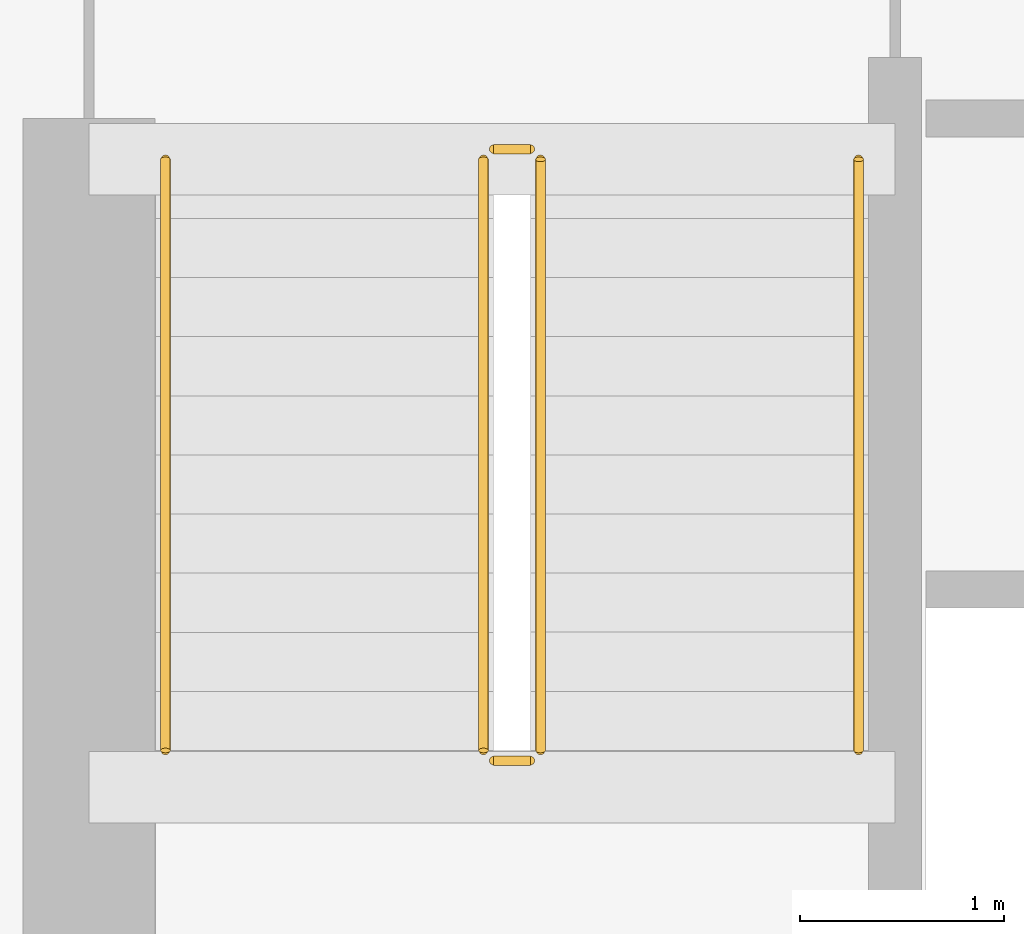
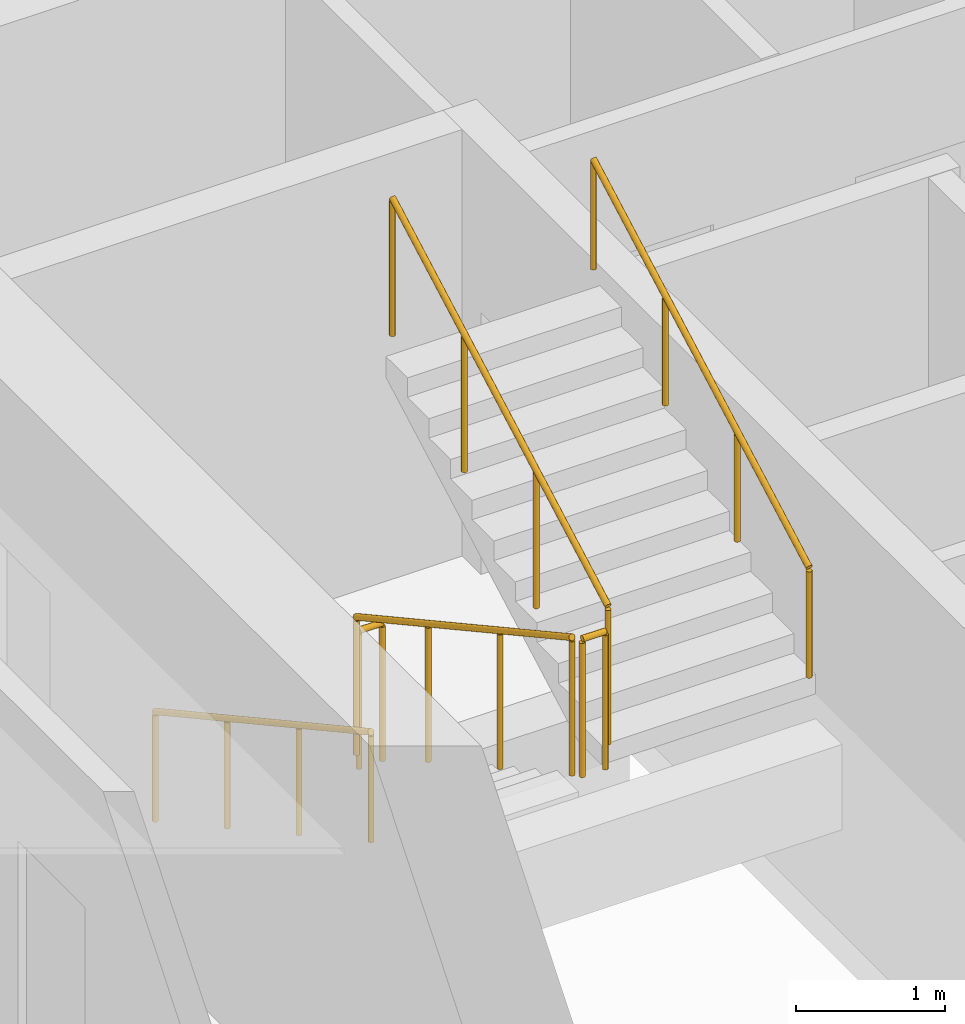
# One storey, part 8 of 10: 6 railings.
"""IFC4 building model written with IfcOpenShell, lengths in metres."""

from ifc_helpers import new_model, si_unit, direction, frame, origin, origin_2d, place, context, subcontext, project, spatial, circle, extrude, material, type_object, element, save


model = new_model("IFC4")

# Units and contexts
model_context = context("Model", 3, precision=1e-05, world=origin(), true_north=direction((0.0, 1.0)))
body_context = subcontext(model_context, "Body", "Model", "MODEL_VIEW")
ifc_project = project(units=[si_unit("LENGTHUNIT", "METRE"), si_unit("AREAUNIT", "SQUARE_METRE"), si_unit("VOLUMEUNIT", "CUBIC_METRE"), si_unit("PLANEANGLEUNIT", "RADIAN"), si_unit("MASSUNIT", "GRAM", prefix="KILO")], contexts=[model_context])

# Site, building, storey
site_placement = place(None, origin())
site = spatial("IfcSite", under=ifc_project, at=site_placement, CompositionType="ELEMENT")
building_placement = place(site_placement, origin())
building = spatial("IfcBuilding", under=site, at=building_placement, Name="Calvemar Wedge Station Tower", CompositionType="ELEMENT")
storey_placement = place(building_placement, frame((0.0, 0.0, 221.89990234375)))
storey = spatial("IfcBuildingStorey", under=building, at=storey_placement, Name="L56", CompositionType="ELEMENT", Elevation=221.89990234375)

# Railings
ifc_material_1 = material(Name="Stainless steel AISI 316L", Category="steel")
railing_type_1 = type_object("IfcRailingType", Name="RL-HANDRAIL-920", PredefinedType="HANDRAIL", material=ifc_material_1)
railing_1_placement = place(storey_placement, frame((16.64990234375, 41.14990234375, 0.1591796875)))
element("IfcRailing", 1, at=railing_1_placement, inside=storey, type_object=railing_type_1, Name="L56 ST-C1 stair handrail 1", PredefinedType="HANDRAIL", context=body_context, shape_type="SweptSolid", body=[
    extrude(circle(Radius=0.02392578125, at=origin_2d()), frame((0.0, 0.0, 0.89599609375), z_axis=(0.0, -0.876742130028, 0.480960744171), x_axis=(1.0, 0.0, 0.0)), (0.0, 0.0, 1.0), 3.3076171875),
    extrude(circle(Radius=0.02099609375, at=origin_2d()), origin(), (0.0, 0.0, 1.0), 0.871826171875),
    extrude(circle(Radius=0.02099609375, at=origin_2d()), frame((0.0, -0.966552734375, 0.5302734375)), (0.0, 0.0, 1.0), 0.871826171875),
    extrude(circle(Radius=0.02099609375, at=origin_2d()), frame((0.0, -1.933349609375, 1.060546875)), (0.0, 0.0, 1.0), 0.871826171875),
    extrude(circle(Radius=0.02099609375, at=origin_2d()), frame((0.0, -2.89990234375, 1.5908203125)), (0.0, 0.0, 1.0), 0.871826171875),
])
railing_2_placement = place(storey_placement, frame((20.050048828125, 38.25, 1.9091796875)))
element("IfcRailing", 2, at=railing_2_placement, inside=storey, type_object=railing_type_1, Name="L56 ST-C1 stair handrail 2", PredefinedType="HANDRAIL", context=body_context, shape_type="SweptSolid", body=[
    extrude(circle(Radius=0.02392578125, at=origin_2d()), frame((0.0, 0.0, 0.89599609375), z_axis=(0.0, 0.876742130028, 0.480960744171), x_axis=(-1.0, 0.0, 0.0)), (0.0, 0.0, 1.0), 3.3076171875),
    extrude(circle(Radius=0.02099609375, at=origin_2d()), origin(), (0.0, 0.0, 1.0), 0.871826171875),
    extrude(circle(Radius=0.02099609375, at=origin_2d()), frame((0.0, 0.966552734375, 0.5302734375)), (0.0, 0.0, 1.0), 0.871826171875),
    extrude(circle(Radius=0.02099609375, at=origin_2d()), frame((0.0, 1.933349609375, 1.060546875)), (0.0, 0.0, 1.0), 0.871826171875),
    extrude(circle(Radius=0.02099609375, at=origin_2d()), frame((0.0, 2.89990234375, 1.5908203125)), (0.0, 0.0, 1.0), 0.871826171875),
])
ifc_material_2 = material(Name="Painted steel guardrail ASTM A500 Grade C", Category="steel")
railing_type_2 = type_object("IfcRailingType", Name="RL-STAIR-GUARD-1150", PredefinedType="GUARDRAIL", material=ifc_material_2)
railing_3_placement = place(storey_placement, frame((18.2099609375, 41.14990234375, 0.1591796875)))
element("IfcRailing", 3, at=railing_3_placement, inside=storey, type_object=railing_type_2, Name="L56 ST-C1 stair guard 1", PredefinedType="GUARDRAIL", context=body_context, shape_type="SweptSolid", body=[
    extrude(circle(Radius=0.02392578125, at=origin_2d()), frame((0.0, 0.0, 1.1259765625), z_axis=(0.0, -0.876742130028, 0.480960744171), x_axis=(1.0, 0.0, 0.0)), (0.0, 0.0, 1.0), 3.3076171875),
    extrude(circle(Radius=0.02099609375, at=origin_2d()), origin(), (0.0, 0.0, 1.0), 1.101806640625),
    extrude(circle(Radius=0.02099609375, at=origin_2d()), frame((0.0, -0.966552734375, 0.5302734375)), (0.0, 0.0, 1.0), 1.101806640625),
    extrude(circle(Radius=0.02099609375, at=origin_2d()), frame((0.0, -1.933349609375, 1.060546875)), (0.0, 0.0, 1.0), 1.101806640625),
    extrude(circle(Radius=0.02099609375, at=origin_2d()), frame((0.0, -2.89990234375, 1.5908203125)), (0.0, 0.0, 1.0), 1.101806640625),
])
railing_4_placement = place(storey_placement, frame((18.260009765625, 38.199951171875, 1.75)))
element("IfcRailing", 4, at=railing_4_placement, inside=storey, type_object=railing_type_2, Name="L56 ST-C1 stair guard 2", PredefinedType="GUARDRAIL", context=body_context, shape_type="SweptSolid", body=[
    extrude(circle(Radius=0.02392578125, at=origin_2d()), frame((0.0, 0.0, 1.1259765625), z_axis=(1.0, 0.0, 0.0), x_axis=(0.0, 1.0, 0.0)), (0.0, 0.0, 1.0), 0.179931640625),
    extrude(circle(Radius=0.02099609375, at=origin_2d()), origin(), (0.0, 0.0, 1.0), 1.101806640625),
    extrude(circle(Radius=0.02099609375, at=origin_2d()), frame((0.179931640625, 0.0, 0.0)), (0.0, 0.0, 1.0), 1.101806640625),
])
railing_5_placement = place(storey_placement, frame((18.489990234375, 38.25, 1.9091796875)))
element("IfcRailing", 5, at=railing_5_placement, inside=storey, type_object=railing_type_2, Name="L56 ST-C1 stair guard 3", PredefinedType="GUARDRAIL", context=body_context, shape_type="SweptSolid", body=[
    extrude(circle(Radius=0.02392578125, at=origin_2d()), frame((0.0, 0.0, 1.1259765625), z_axis=(0.0, 0.876742130028, 0.480960744171), x_axis=(-1.0, 0.0, 0.0)), (0.0, 0.0, 1.0), 3.3076171875),
    extrude(circle(Radius=0.02099609375, at=origin_2d()), origin(), (0.0, 0.0, 1.0), 1.101806640625),
    extrude(circle(Radius=0.02099609375, at=origin_2d()), frame((0.0, 0.966552734375, 0.5302734375)), (0.0, 0.0, 1.0), 1.101806640625),
    extrude(circle(Radius=0.02099609375, at=origin_2d()), frame((0.0, 1.933349609375, 1.060546875)), (0.0, 0.0, 1.0), 1.101806640625),
    extrude(circle(Radius=0.02099609375, at=origin_2d()), frame((0.0, 2.89990234375, 1.5908203125)), (0.0, 0.0, 1.0), 1.101806640625),
])
railing_6_placement = place(storey_placement, frame((18.260009765625, 41.199951171875, 0.0)))
element("IfcRailing", 6, at=railing_6_placement, inside=storey, type_object=railing_type_2, Name="L56 ST-C1 stair guard 4", PredefinedType="GUARDRAIL", context=body_context, shape_type="SweptSolid", body=[
    extrude(circle(Radius=0.02392578125, at=origin_2d()), frame((0.0, 0.0, 1.1259765625), z_axis=(1.0, 0.0, 0.0), x_axis=(0.0, 1.0, 0.0)), (0.0, 0.0, 1.0), 0.179931640625),
    extrude(circle(Radius=0.02099609375, at=origin_2d()), origin(), (0.0, 0.0, 1.0), 1.101806640625),
    extrude(circle(Radius=0.02099609375, at=origin_2d()), frame((0.179931640625, 0.0, 0.0)), (0.0, 0.0, 1.0), 1.101806640625),
])

save(model, "model.ifc")
